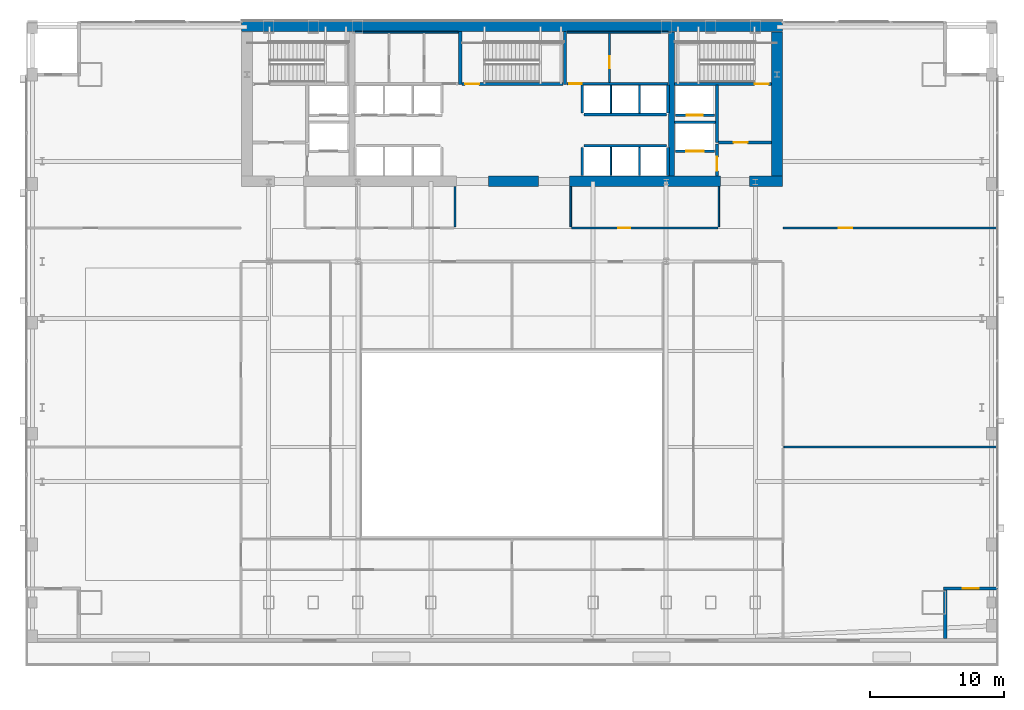
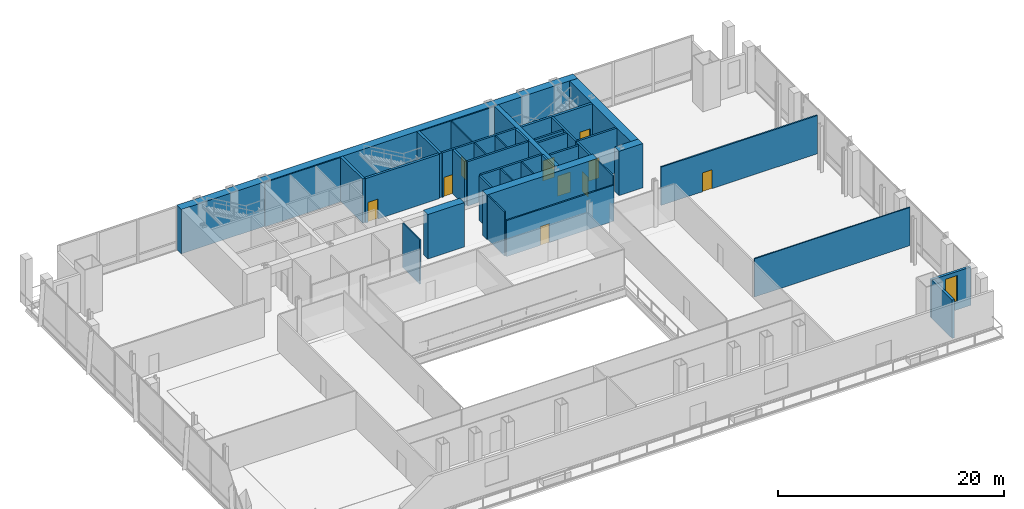
# One storey, part 21 of 25: 38 walls, 10 doors, 1 window, 11 openings.
"""IFC4 building model written with IfcOpenShell, lengths in metres."""

from ifc_helpers import new_model, si_unit, direction, frame, frame_2d, origin, place, context, subcontext, project, spatial, rectangle, extrude, material, layer, layer_set, type_object, element, fill, save


model = new_model("IFC4")

# Units and contexts
model_context = context("Model", 3, precision=1e-05, world=origin(), true_north=direction((0.0, 1.0)))
body_context = subcontext(model_context, "Body", "Model", "MODEL_VIEW")
ifc_project = project(units=[si_unit("LENGTHUNIT", "METRE"), si_unit("AREAUNIT", "SQUARE_METRE"), si_unit("VOLUMEUNIT", "CUBIC_METRE"), si_unit("PLANEANGLEUNIT", "RADIAN"), si_unit("MASSUNIT", "GRAM", prefix="KILO")], contexts=[model_context])

# Site, building, storey
site_placement = place(None, origin())
site = spatial("IfcSite", under=ifc_project, at=site_placement, CompositionType="ELEMENT")
building_placement = place(site_placement, origin())
building = spatial("IfcBuilding", under=site, at=building_placement, Name="Khoronbel Lancet Exchange", CompositionType="ELEMENT")
storey_placement = place(building_placement, frame((0.0, 0.0, 10.39990234375)))
storey = spatial("IfcBuildingStorey", under=building, at=storey_placement, Name="L02", CompositionType="ELEMENT", Elevation=10.39990234375)

# Walls
ifc_material_1 = material(Name="Concrete C80/95", Category="concrete")
ifc_layer_1 = layer(ifc_material_1, 0.800048828125, Name="Concrete C80/95")
ifc_layer_set_1 = layer_set([ifc_layer_1], Name="Concrete C80/95")
wall_type_1 = type_object("IfcWallType", Name="WL-CW1", PredefinedType="SHEAR", material=ifc_layer_set_1)
wall_1_placement = place(storey_placement, frame((16.199951171875, 53.300048828125, 0.0), z_axis=(0.0, 0.0, 1.0), x_axis=(1.0, 0.0, 0.0)))
element("IfcWall", 1, at=wall_1_placement, inside=storey, type_object=wall_type_1, Name="Level L02 rear core north shear wall", PredefinedType="SHEAR", context=body_context, shape_type="SweptSolid", body=[
    extrude(rectangle(XDim=40.5, YDim=0.800048828125, at=frame_2d((20.25, 0.0))), origin(), (0.0, 0.0, 1.0), 4.800048828125),
])
wall_2_placement = place(storey_placement, frame((56.300048828125, 52.89990234375, 0.0), z_axis=(0.0, 0.0, 1.0), x_axis=(0.0, -1.0, 0.0)))
element("IfcWall", 2, at=wall_2_placement, inside=storey, type_object=wall_type_1, Name="Level L02 rear core east shear wall", PredefinedType="SHEAR", context=body_context, shape_type="SweptSolid", body=[
    extrude(rectangle(XDim=10.7998046875, YDim=0.800048828125, at=frame_2d((5.39990234375, 0.0))), origin(), (0.0, 0.0, 1.0), 4.800048828125),
])
wall_3_placement = place(storey_placement, frame((38.449951171875, 41.699951171875, 0.0), z_axis=(0.0, 0.0, 1.0), x_axis=(-1.0, 0.0, 0.0)))
element("IfcWall", 3, at=wall_3_placement, inside=storey, type_object=wall_type_1, Name="Level L02 rear core south shear wall pier P3", PredefinedType="SHEAR", context=body_context, shape_type="SweptSolid", body=[
    extrude(rectangle(XDim=3.75, YDim=0.800048828125, at=frame_2d((1.875, 0.0))), origin(), (0.0, 0.0, 1.0), 4.800048828125),
])
wall_4_placement = place(storey_placement, frame((52.050048828125, 41.699951171875, 0.0), z_axis=(0.0, 0.0, 1.0), x_axis=(-1.0, 0.0, 0.0)))
element("IfcWall", 4, at=wall_4_placement, inside=storey, type_object=wall_type_1, Name="Level L02 rear core south shear wall pier P4", PredefinedType="SHEAR", context=body_context, shape_type="SweptSolid", body=[
    extrude(rectangle(XDim=11.300048828125, YDim=0.800048828125, at=frame_2d((5.64990234375, 0.0))), origin(), (0.0, 0.0, 1.0), 4.800048828125),
])
wall_5_placement = place(storey_placement, frame((56.699951171875, 41.699951171875, 0.0), z_axis=(0.0, 0.0, 1.0), x_axis=(-1.0, 0.0, 0.0)))
element("IfcWall", 5, at=wall_5_placement, inside=storey, type_object=wall_type_1, Name="Level L02 rear core south shear wall pier P5", PredefinedType="SHEAR", context=body_context, shape_type="SweptSolid", body=[
    extrude(rectangle(XDim=2.449951171875, YDim=0.800048828125, at=frame_2d((1.22509765625, 0.0))), origin(), (0.0, 0.0, 1.0), 4.800048828125),
])

# Wall, opening, window
ifc_material_2 = material(Name="Precast concrete C40/50", Category="concrete")
ifc_layer_2 = layer(ifc_material_2, 0.25, Name="Precast concrete C40/50")
ifc_layer_set_2 = layer_set([ifc_layer_2], Name="Precast concrete C40/50")
wall_type_2 = type_object("IfcWallType", Name="WL-EXT250", PredefinedType="SOLIDWALL", material=ifc_layer_set_2)
wall_6_placement = place(storey_placement, frame((72.820068359375, 11.199951171875, 0.0), z_axis=(0.0, 0.0, 1.0), x_axis=(-1.0, 0.0, 0.0)))
wall_6 = element("IfcWall", 6, at=wall_6_placement, inside=storey, type_object=wall_type_2, Name="Level L02 corner notch exterior wall SEL2", PredefinedType="SOLIDWALL", context=body_context, shape_type="SweptSolid", body=[
    extrude(rectangle(XDim=4.045166015625, YDim=0.25, at=frame_2d((2.0224609375, 0.0))), origin(), (0.0, 0.0, 1.0), 4.14013671875),
])
opening_1_placement = place(wall_6_placement, frame((1.422607421875, 0.0, 0.89990234375)))
opening_1 = element("IfcOpeningElement", 7, at=opening_1_placement, cuts=wall_6, Name="Opening W2", PredefinedType="OPENING", context=body_context, shape_type="SweptSolid", body=[
    extrude(rectangle(XDim=1.199951171875, YDim=2.800048828125, at=frame_2d((0.60009765625, 1.39990234375))), frame((0.0, 0.135009765625, 0.0), z_axis=(0.0, -1.0, 0.0), x_axis=(1.0, 0.0, 0.0)), (0.0, 0.0, 1.0), 0.27001953125),
])
ifc_material_3 = material(Name="Low-E Solar Control Insulating Glass", Category="glass")
window_type = type_object("IfcWindowType", Name="WIN-W2", PartitioningType="SINGLE_PANEL", PredefinedType="WINDOW", material=ifc_material_3)
window_placement = place(opening_1_placement, origin())
window = element("IfcWindow", 8, at=window_placement, inside=storey, type_object=window_type, Name="WIN-L02-SEL2", OverallHeight=2.800048828125, OverallWidth=1.199951171875, PartitioningType="SINGLE_PANEL", PredefinedType="WINDOW", context=body_context, shape_type="SweptSolid", body=[
    extrude(rectangle(XDim=1.199951171875, YDim=2.800048828125, at=frame_2d((0.60009765625, 1.39990234375))), frame((0.0, 0.030029296875, 0.0), z_axis=(0.0, -1.0, 0.0), x_axis=(1.0, 0.0, 0.0)), (0.0, 0.0, 1.0), 0.06005859375),
])
fill(opening_1, window)

# Walls
wall_7_placement = place(storey_placement, frame((68.89990234375, 11.074951171875, 0.0), z_axis=(0.0, 0.0, 1.0), x_axis=(0.0, -1.0, 0.0)))
element("IfcWall", 9, at=wall_7_placement, inside=storey, type_object=wall_type_2, Name="Level L02 corner notch exterior wall SEV2", PredefinedType="SOLIDWALL", context=body_context, shape_type="SweptSolid", body=[
    extrude(rectangle(XDim=3.625, YDim=0.25, at=frame_2d((1.8125, 0.0))), origin(), (0.0, 0.0, 1.0), 4.14013671875),
])
ifc_material_4 = material(Name="Acoustic Metal-Stud & Mineral-Wool Gypsum Partition 120 mm", Category="gypsum")
ifc_layer_3 = layer(ifc_material_4, 0.1201171875, Name="Acoustic Metal-Stud & Mineral-Wool Gypsum Partition 120 mm")
ifc_layer_set_3 = layer_set([ifc_layer_3], Name="Acoustic Metal-Stud & Mineral-Wool Gypsum Partition 120 mm")
wall_type_3 = type_object("IfcWallType", Name="WL-PRT120", PredefinedType="PARTITIONING", material=ifc_layer_set_3)
wall_8_placement = place(storey_placement, frame((56.820068359375, 21.800048828125, 0.0), z_axis=(0.0, 0.0, 1.0), x_axis=(1.0, 0.0, 0.0)))
element("IfcWall", 10, at=wall_8_placement, inside=storey, type_object=wall_type_3, Name="Level L02 interior partition PW-PD-EH", PredefinedType="PARTITIONING", context=body_context, shape_type="SweptSolid", body=[
    extrude(rectangle(XDim=15.89990234375, YDim=0.1201171875, at=frame_2d((7.949951171875, 0.0))), origin(), (0.0, 0.0, 1.0), 4.14013671875),
])
for number, where, z_axis, x_axis, name in (
    (11, (32.179931640625, 38.280029296875, 0.0), (0.0, 0.0, 1.0), (0.0, 1.0, 0.0), "Level L02 interior partition PW-PD-WC3"),
    (12, (40.85009765625, 38.280029296875, 0.0), (0.0, 0.0, 1.0), (0.0, 1.0, 0.0), "Level L02 interior partition PW-PD-NP0"),
    (13, (51.949951171875, 38.280029296875, 0.0), (0.0, 0.0, 1.0), (0.0, 1.0, 0.0), "Level L02 interior partition PW-PD-NP1"),
):
    element("IfcWall", number, at=place(storey_placement, frame(where, z_axis=z_axis, x_axis=x_axis)), inside=storey, type_object=wall_type_3, Name=name, PredefinedType="PARTITIONING", context=body_context, shape_type="SweptSolid", body=[
        extrude(rectangle(XDim=3.02001953125, YDim=0.1201171875, at=frame_2d((1.510009765625, 0.0))), origin(), (0.0, 0.0, 1.0), 4.800048828125),
    ])
ifc_material_5 = material(Name="Fire-Rated Metal-Stud & Mineral-Wool Gypsum Partition 120 mm", Category="gypsum")
ifc_layer_4 = layer(ifc_material_5, 0.1201171875, Name="Fire-Rated Metal-Stud & Mineral-Wool Gypsum Partition 120 mm")
ifc_layer_set_4 = layer_set([ifc_layer_4], Name="Fire-Rated Metal-Stud & Mineral-Wool Gypsum Partition 120 mm")
wall_type_4 = type_object("IfcWallType", Name="WL-PRT120F", PredefinedType="PARTITIONING", material=ifc_layer_set_4)
for number, where, z_axis, x_axis, name in (
    (14, (43.860107421875, 46.804931640625, 0.0), (0.0, 0.0, 1.0), (0.0, 1.0, 0.0), "Level L02 interior partition CW-PH-D1"),
    (15, (46.0, 46.804931640625, 0.0), (0.0, 0.0, 1.0), (0.0, 1.0, 0.0), "Level L02 interior partition CW-PH-D2"),
):
    element("IfcWall", number, at=place(storey_placement, frame(where, z_axis=z_axis, x_axis=x_axis)), inside=storey, type_object=wall_type_4, Name=name, PredefinedType="PARTITIONING", context=body_context, shape_type="SweptSolid", body=[
        extrude(rectangle(XDim=2.090087890625, YDim=0.1201171875, at=frame_2d((1.044921875, 0.0))), origin(), (0.0, 0.0, 1.0), 4.800048828125),
    ])
for number, where, z_axis, x_axis, name in (
    (16, (43.860107421875, 42.14990234375, 0.0), (0.0, 0.0, 1.0), (0.0, 1.0, 0.0), "Level L02 interior partition CW-PX-D1"),
    (17, (46.0, 42.14990234375, 0.0), (0.0, 0.0, 1.0), (0.0, 1.0, 0.0), "Level L02 interior partition CW-PX-D2"),
):
    element("IfcWall", number, at=place(storey_placement, frame(where, z_axis=z_axis, x_axis=x_axis)), inside=storey, type_object=wall_type_4, Name=name, PredefinedType="PARTITIONING", context=body_context, shape_type="SweptSolid", body=[
        extrude(rectangle(XDim=2.09521484375, YDim=0.1201171875, at=frame_2d((1.047607421875, 0.0))), origin(), (0.0, 0.0, 1.0), 4.800048828125),
    ])
wall_9_placement = place(storey_placement, frame((24.699951171875, 52.860107421875, 0.0), z_axis=(0.0, 0.0, 1.0), x_axis=(1.0, 0.0, 0.0)))
element("IfcWall", 18, at=wall_9_placement, inside=storey, type_object=wall_type_4, Name="Level L02 interior partition CW-SUP-NW-N", PredefinedType="PARTITIONING", context=body_context, shape_type="SweptSolid", body=[
    extrude(rectangle(XDim=7.719970703125, YDim=0.1201171875, at=frame_2d((3.85986328125, 0.0))), origin(), (0.0, 0.0, 1.0), 4.800048828125),
])
wall_10_placement = place(storey_placement, frame((40.580078125, 52.860107421875, 0.0), z_axis=(0.0, 0.0, 1.0), x_axis=(1.0, 0.0, 0.0)))
element("IfcWall", 19, at=wall_10_placement, inside=storey, type_object=wall_type_4, Name="Level L02 interior partition CW-SUP-NE-N", PredefinedType="PARTITIONING", context=body_context, shape_type="SweptSolid", body=[
    extrude(rectangle(XDim=7.559814453125, YDim=0.1201171875, at=frame_2d((3.77978515625, 0.0))), origin(), (0.0, 0.0, 1.0), 4.800048828125),
])

# Wall, opening, door
wall_11_placement = place(storey_placement, frame((43.755126953125, 49.10498046875, 0.0), z_axis=(0.0, 0.0, 1.0), x_axis=(0.0, 1.0, 0.0)))
wall_11 = element("IfcWall", 20, at=wall_11_placement, inside=storey, type_object=wall_type_4, Name="Level L02 interior partition CW-SUP-NE-M", PredefinedType="PARTITIONING", context=body_context, shape_type="SweptSolid", body=[
    extrude(rectangle(XDim=3.68994140625, YDim=0.1201171875, at=frame_2d((1.844970703125, 0.0))), origin(), (0.0, 0.0, 1.0), 4.800048828125),
])
opening_2_placement = place(wall_11_placement, frame((1.050048828125, 0.0, 0.0)))
opening_2 = element("IfcOpeningElement", 21, at=opening_2_placement, cuts=wall_11, Name="Opening FD4", PredefinedType="OPENING", context=body_context, shape_type="SweptSolid", body=[
    extrude(rectangle(XDim=0.89990234375, YDim=2.050048828125, at=frame_2d((0.449951171875, 1.02490234375))), frame((0.0, 0.070068359375, 0.0), z_axis=(0.0, -1.0, 0.0), x_axis=(1.0, 0.0, 0.0)), (0.0, 0.0, 1.0), 0.14013671875),
])
ifc_material_6 = material(Name="Fire-Rated Steel Core Support Door Assembly", Category="steel")
door_type_1 = type_object("IfcDoorType", Name="DR-FD4", OperationType="NOTDEFINED", PredefinedType="DOOR", material=ifc_material_6)
door_1_placement = place(opening_2_placement, origin())
door_1 = element("IfcDoor", 22, at=door_1_placement, inside=storey, type_object=door_type_1, Name="Core NE inner support door L02-1", OperationType="SINGLE_SWING_LEFT", OverallHeight=2.050048828125, OverallWidth=0.89990234375, PredefinedType="DOOR", context=body_context, shape_type="SweptSolid", body=[
    extrude(rectangle(XDim=0.89990234375, YDim=2.050048828125, at=frame_2d((0.449951171875, 1.02490234375))), frame((0.0, 0.02490234375, 0.0), z_axis=(0.0, -1.0, 0.0), x_axis=(1.0, 0.0, 0.0)), (0.0, 0.0, 1.0), 0.050048828125),
])
fill(opening_2, door_1)

ifc_material_7 = material(Name="Fire-Rated Twin-Stud Acoustic Gypsum Partition 150 mm", Category="gypsum")
ifc_layer_5 = layer(ifc_material_7, 0.14990234375, Name="Fire-Rated Twin-Stud Acoustic Gypsum Partition 150 mm")
ifc_layer_set_5 = layer_set([ifc_layer_5], Name="Fire-Rated Twin-Stud Acoustic Gypsum Partition 150 mm")
wall_type_5 = type_object("IfcWallType", Name="WL-PRT150C", PredefinedType="PARTITIONING", material=ifc_layer_set_5)
wall_12_placement = place(storey_placement, frame((56.739990234375, 38.199951171875, 0.0), z_axis=(0.0, 0.0, 1.0), x_axis=(1.0, 0.0, 0.0)))
wall_12 = element("IfcWall", 23, at=wall_12_placement, inside=storey, type_object=wall_type_5, Name="Level L02 interior partition PW-PD-NE", PredefinedType="PARTITIONING", context=body_context, shape_type="SweptSolid", body=[
    extrude(rectangle(XDim=15.97998046875, YDim=0.14990234375, at=frame_2d((7.989990234375, 0.0))), origin(), (0.0, 0.0, 1.0), 4.14013671875),
])
opening_3_placement = place(wall_12_placement, frame((4.199951171875, 0.0, 0.0)))
opening_3 = element("IfcOpeningElement", 24, at=opening_3_placement, cuts=wall_12, Name="Opening D2", PredefinedType="OPENING", context=body_context, shape_type="SweptSolid", body=[
    extrude(rectangle(XDim=1.0, YDim=2.050048828125, at=frame_2d((0.5, 1.02490234375))), frame((0.0, 0.0849609375, 0.0), z_axis=(0.0, -1.0, 0.0), x_axis=(1.0, 0.0, 0.0)), (0.0, 0.0, 1.0), 0.169921875),
])
ifc_material_8 = material(Name="Acoustic Veneered Timber & Bronze Frame Door", Category="wood")
door_type_2 = type_object("IfcDoorType", Name="DR-D2", OperationType="NOTDEFINED", PredefinedType="DOOR", material=ifc_material_8)
door_2_placement = place(opening_3_placement, origin())
door_2 = element("IfcDoor", 25, at=door_2_placement, inside=storey, type_object=door_type_2, Name="NE podium catering kitchen door L02-1", OperationType="SINGLE_SWING_RIGHT", OverallHeight=2.050048828125, OverallWidth=1.0, PredefinedType="DOOR", context=body_context, shape_type="SweptSolid", body=[
    extrude(rectangle(XDim=1.0, YDim=2.050048828125, at=frame_2d((0.5, 1.02490234375))), frame((0.0, 0.02490234375, 0.0), z_axis=(0.0, -1.0, 0.0), x_axis=(1.0, 0.0, 0.0)), (0.0, 0.0, 1.0), 0.050048828125),
])
fill(opening_3, door_2)

wall_13_placement = place(storey_placement, frame((40.9150390625, 38.199951171875, 0.0), z_axis=(0.0, 0.0, 1.0), x_axis=(1.0, 0.0, 0.0)))
wall_13 = element("IfcWall", 26, at=wall_13_placement, inside=storey, type_object=wall_type_5, Name="Level L02 interior partition PW-PD-NP", PredefinedType="PARTITIONING", context=body_context, shape_type="SweptSolid", body=[
    extrude(rectangle(XDim=10.969970703125, YDim=0.14990234375, at=frame_2d((5.48486328125, 0.0))), origin(), (0.0, 0.0, 1.0), 3.89013671875),
])
opening_4_placement = place(wall_13_placement, frame((3.5, 0.0, 0.0)))
opening_4 = element("IfcOpeningElement", 27, at=opening_4_placement, cuts=wall_13, Name="Opening D5", PredefinedType="OPENING", context=body_context, shape_type="SweptSolid", body=[
    extrude(rectangle(XDim=0.89990234375, YDim=2.050048828125, at=frame_2d((0.449951171875, 1.02490234375))), frame((0.0, 0.0849609375, 0.0), z_axis=(0.0, -1.0, 0.0), x_axis=(1.0, 0.0, 0.0)), (0.0, 0.0, 1.0), 0.169921875),
])
ifc_material_9 = material(Name="Acoustic Timber Pantry & Support Door", Category="wood")
door_type_3 = type_object("IfcDoorType", Name="DR-D5", OperationType="NOTDEFINED", PredefinedType="DOOR", material=ifc_material_9)
door_3_placement = place(opening_4_placement, origin())
door_3 = element("IfcDoor", 28, at=door_3_placement, inside=storey, type_object=door_type_3, Name="Podium servery pantry door L02-1", OperationType="SINGLE_SWING_LEFT", OverallHeight=2.050048828125, OverallWidth=0.89990234375, PredefinedType="DOOR", context=body_context, shape_type="SweptSolid", body=[
    extrude(rectangle(XDim=0.89990234375, YDim=2.050048828125, at=frame_2d((0.449951171875, 1.02490234375))), frame((0.0, 0.02490234375, 0.0), z_axis=(0.0, -1.0, 0.0), x_axis=(1.0, 0.0, 0.0)), (0.0, 0.0, 1.0), 0.050048828125),
])
fill(opening_4, door_3)

ifc_material_10 = material(Name="Autoclaved Aerated Concrete Blockwork 200 mm", Category="masonry")
ifc_layer_6 = layer(ifc_material_10, 0.199951171875, Name="Autoclaved Aerated Concrete Blockwork 200 mm")
ifc_layer_set_6 = layer_set([ifc_layer_6], Name="Autoclaved Aerated Concrete Blockwork 200 mm")
wall_type_6 = type_object("IfcWallType", Name="WL-PRT200", PredefinedType="PARTITIONING", material=ifc_layer_set_6)
wall_14_placement = place(storey_placement, frame((51.610107421875, 43.949951171875, 0.0), z_axis=(0.0, 0.0, 1.0), x_axis=(-1.0, 0.0, 0.0)))
wall_14 = element("IfcWall", 29, at=wall_14_placement, inside=storey, type_object=wall_type_6, Name="Level L02 elevator hoistway landing front wall SVLE", PredefinedType="PARTITIONING", context=body_context, shape_type="SweptSolid", body=[
    extrude(rectangle(XDim=2.920166015625, YDim=0.199951171875, at=frame_2d((1.4599609375, 0.0))), origin(), (0.0, 0.0, 1.0), 4.800048828125),
])
opening_5_placement = place(wall_14_placement, frame((0.81005859375, 0.0, 0.0)))
opening_5 = element("IfcOpeningElement", 30, at=opening_5_placement, cuts=wall_14, Name="Opening LD-SVL2", PredefinedType="OPENING", context=body_context, shape_type="SweptSolid", body=[
    extrude(rectangle(XDim=1.300048828125, YDim=2.179931640625, at=frame_2d((0.64990234375, 1.08984375))), frame((0.0, 0.10986328125, 0.0), z_axis=(0.0, -1.0, 0.0), x_axis=(1.0, 0.0, 0.0)), (0.0, 0.0, 1.0), 0.219970703125),
])
ifc_material_11 = material(Name="Heavy-Duty Bi-Parting Goods Lift Landing Door", Category="steel")
door_type_4 = type_object("IfcDoorType", Name="DR-LD-SVL", OperationType="NOTDEFINED", PredefinedType="DOOR", material=ifc_material_11)
door_4_placement = place(opening_5_placement, origin())
door_4 = element("IfcDoor", 31, at=door_4_placement, inside=storey, type_object=door_type_4, Name="Elevator landing sliding door LD-SVL2 L02", OperationType="SLIDING_TO_LEFT", OverallHeight=2.179931640625, OverallWidth=1.300048828125, PredefinedType="DOOR", context=body_context, shape_type="SweptSolid", body=[
    extrude(rectangle(XDim=1.300048828125, YDim=2.179931640625, at=frame_2d((0.64990234375, 1.08984375))), frame((0.0, 0.02490234375, 0.0), z_axis=(0.0, -1.0, 0.0), x_axis=(1.0, 0.0, 0.0)), (0.0, 0.0, 1.0), 0.050048828125),
])
fill(opening_5, door_4)

wall_15_placement = place(storey_placement, frame((51.610107421875, 46.64990234375, 0.0), z_axis=(0.0, 0.0, 1.0), x_axis=(-1.0, 0.0, 0.0)))
wall_15 = element("IfcWall", 32, at=wall_15_placement, inside=storey, type_object=wall_type_6, Name="Level L02 elevator hoistway landing front wall FFLE", PredefinedType="PARTITIONING", context=body_context, shape_type="SweptSolid", body=[
    extrude(rectangle(XDim=2.920166015625, YDim=0.199951171875, at=frame_2d((1.4599609375, 0.0))), origin(), (0.0, 0.0, 1.0), 4.800048828125),
])
opening_6_placement = place(wall_15_placement, frame((0.860107421875, 0.0, 0.0)))
opening_6 = element("IfcOpeningElement", 33, at=opening_6_placement, cuts=wall_15, Name="Opening LD-FFL2", PredefinedType="OPENING", context=body_context, shape_type="SweptSolid", body=[
    extrude(rectangle(XDim=1.199951171875, YDim=2.179931640625, at=frame_2d((0.60009765625, 1.08984375))), frame((0.0, 0.10986328125, 0.0), z_axis=(0.0, -1.0, 0.0), x_axis=(1.0, 0.0, 0.0)), (0.0, 0.0, 1.0), 0.219970703125),
])
ifc_material_12 = material(Name="Fire-Rated Stainless Bi-Parting Firefighting Lift Door", Category="steel")
door_type_5 = type_object("IfcDoorType", Name="DR-LD-FFL", OperationType="NOTDEFINED", PredefinedType="DOOR", material=ifc_material_12)
door_5_placement = place(opening_6_placement, origin())
door_5 = element("IfcDoor", 34, at=door_5_placement, inside=storey, type_object=door_type_5, Name="Elevator landing sliding door LD-FFL2 L02", OperationType="SLIDING_TO_LEFT", OverallHeight=2.179931640625, OverallWidth=1.199951171875, PredefinedType="DOOR", context=body_context, shape_type="SweptSolid", body=[
    extrude(rectangle(XDim=1.199951171875, YDim=2.179931640625, at=frame_2d((0.60009765625, 1.08984375))), frame((0.0, 0.02490234375, 0.0), z_axis=(0.0, -1.0, 0.0), x_axis=(1.0, 0.0, 0.0)), (0.0, 0.0, 1.0), 0.050048828125),
])
fill(opening_6, door_5)

# Wall
wall_16_placement = place(storey_placement, frame((51.800048828125, 44.60009765625, 0.0), z_axis=(0.0, 0.0, 1.0), x_axis=(0.0, 1.0, 0.0)))
element("IfcWall", 35, at=wall_16_placement, inside=storey, type_object=wall_type_6, Name="Level L02 interior partition CW-FFLE-W", PredefinedType="PARTITIONING", context=body_context, shape_type="SweptSolid", body=[
    extrude(rectangle(XDim=4.2998046875, YDim=0.199951171875, at=frame_2d((2.14990234375, 0.0))), origin(), (0.0, 0.0, 1.0), 4.800048828125),
])

# Wall, opening, door
wall_17_placement = place(storey_placement, frame((51.89990234375, 44.60009765625, 0.0), z_axis=(0.0, 0.0, 1.0), x_axis=(1.0, 0.0, 0.0)))
wall_17 = element("IfcWall", 36, at=wall_17_placement, inside=storey, type_object=wall_type_6, Name="Level L02 interior partition CW-FFLE-S", PredefinedType="PARTITIONING", context=body_context, shape_type="SweptSolid", body=[
    extrude(rectangle(XDim=4.0, YDim=0.199951171875, at=frame_2d((2.0, 0.0))), origin(), (0.0, 0.0, 1.0), 4.800048828125),
])
opening_7_placement = place(wall_17_placement, frame((1.14990234375, 0.0, 0.0)))
opening_7 = element("IfcOpeningElement", 37, at=opening_7_placement, cuts=wall_17, Name="Opening FD1", PredefinedType="OPENING", context=body_context, shape_type="SweptSolid", body=[
    extrude(rectangle(XDim=1.050048828125, YDim=2.14990234375, at=frame_2d((0.52490234375, 1.074951171875))), frame((0.0, 0.10986328125, 0.0), z_axis=(0.0, -1.0, 0.0), x_axis=(1.0, 0.0, 0.0)), (0.0, 0.0, 1.0), 0.219970703125),
])
ifc_material_13 = material(Name="Fire-Rated Painted Steel Door Assembly", Category="steel")
door_type_6 = type_object("IfcDoorType", Name="DR-FD1", OperationType="NOTDEFINED", PredefinedType="DOOR", material=ifc_material_13)
door_6_placement = place(opening_7_placement, origin())
door_6 = element("IfcDoor", 38, at=door_6_placement, inside=storey, type_object=door_type_6, Name="East firefighting lobby FD90S door L02-1", OperationType="SINGLE_SWING_LEFT", OverallHeight=2.14990234375, OverallWidth=1.050048828125, PredefinedType="DOOR", context=body_context, shape_type="SweptSolid", body=[
    extrude(rectangle(XDim=1.050048828125, YDim=2.14990234375, at=frame_2d((0.52490234375, 1.074951171875))), frame((0.0, 0.02490234375, 0.0), z_axis=(0.0, -1.0, 0.0), x_axis=(1.0, 0.0, 0.0)), (0.0, 0.0, 1.0), 0.050048828125),
])
fill(opening_7, door_6)

# Wall
wall_18_placement = place(storey_placement, frame((48.6298828125, 46.1201171875, 0.0), z_axis=(0.0, 0.0, 1.0), x_axis=(1.0, 0.0, 0.0)))
element("IfcWall", 39, at=wall_18_placement, inside=storey, type_object=wall_type_6, Name="Level L02 interior partition CW-FFL2-S", PredefinedType="PARTITIONING", context=body_context, shape_type="SweptSolid", body=[
    extrude(rectangle(XDim=3.070068359375, YDim=0.199951171875, at=frame_2d((1.53515625, 0.0))), origin(), (0.0, 0.0, 1.0), 4.800048828125),
])

# Wall, opening, door
wall_19_placement = place(storey_placement, frame((51.800048828125, 42.10009765625, 0.0), z_axis=(0.0, 0.0, 1.0), x_axis=(0.0, 1.0, 0.0)))
wall_19 = element("IfcWall", 40, at=wall_19_placement, inside=storey, type_object=wall_type_6, Name="Level L02 interior partition CW-SVLE-E", PredefinedType="PARTITIONING", context=body_context, shape_type="SweptSolid", body=[
    extrude(rectangle(XDim=2.39501953125, YDim=0.199951171875, at=frame_2d((1.197509765625, 0.0))), origin(), (0.0, 0.0, 1.0), 4.800048828125),
])
opening_8_placement = place(wall_19_placement, frame((0.3798828125, 0.0, 0.0)))
opening_8 = element("IfcOpeningElement", 41, at=opening_8_placement, cuts=wall_19, Name="Opening FD1", PredefinedType="OPENING", context=body_context, shape_type="SweptSolid", body=[
    extrude(rectangle(XDim=1.050048828125, YDim=2.14990234375, at=frame_2d((0.52490234375, 1.074951171875))), frame((0.0, 0.10986328125, 0.0), z_axis=(0.0, -1.0, 0.0), x_axis=(1.0, 0.0, 0.0)), (0.0, 0.0, 1.0), 0.219970703125),
])
door_7_placement = place(opening_8_placement, origin())
door_7 = element("IfcDoor", 42, at=door_7_placement, inside=storey, type_object=door_type_6, Name="East service lift lobby door L02-1", OperationType="SINGLE_SWING_RIGHT", OverallHeight=2.14990234375, OverallWidth=1.050048828125, PredefinedType="DOOR", context=body_context, shape_type="SweptSolid", body=[
    extrude(rectangle(XDim=1.050048828125, YDim=2.14990234375, at=frame_2d((0.52490234375, 1.074951171875))), frame((0.0, 0.02490234375, 0.0), z_axis=(0.0, -1.0, 0.0), x_axis=(1.0, 0.0, 0.0)), (0.0, 0.0, 1.0), 0.050048828125),
])
fill(opening_8, door_7)

# Walls
wall_20_placement = place(storey_placement, frame((41.824951171875, 46.699951171875, 0.0), z_axis=(0.0, 0.0, 1.0), x_axis=(1.0, 0.0, 0.0)))
element("IfcWall", 43, at=wall_20_placement, inside=storey, type_object=wall_type_6, Name="Level L02 interior partition CW-PH-EXP", PredefinedType="PARTITIONING", context=body_context, shape_type="SweptSolid", body=[
    extrude(rectangle(XDim=6.2099609375, YDim=0.199951171875, at=frame_2d((3.10498046875, 0.0))), origin(), (0.0, 0.0, 1.0), 4.800048828125),
])
for number, where, z_axis, x_axis, name in (
    (44, (41.719970703125, 46.804931640625, 0.0), (0.0, 0.0, 1.0), (0.0, 1.0, 0.0), "Level L02 interior partition CW-PH-W"),
    (45, (48.139892578125, 46.804931640625, 0.0), (0.0, 0.0, 1.0), (0.0, 1.0, 0.0), "Level L02 interior partition CW-PH-E"),
):
    element("IfcWall", number, at=place(storey_placement, frame(where, z_axis=z_axis, x_axis=x_axis)), inside=storey, type_object=wall_type_6, Name=name, PredefinedType="PARTITIONING", context=body_context, shape_type="SweptSolid", body=[
        extrude(rectangle(XDim=2.090087890625, YDim=0.199951171875, at=frame_2d((1.044921875, 0.0))), origin(), (0.0, 0.0, 1.0), 4.800048828125),
    ])
wall_21_placement = place(storey_placement, frame((41.824951171875, 44.35009765625, 0.0), z_axis=(0.0, 0.0, 1.0), x_axis=(1.0, 0.0, 0.0)))
element("IfcWall", 46, at=wall_21_placement, inside=storey, type_object=wall_type_6, Name="Level L02 interior partition CW-PX-EXP", PredefinedType="PARTITIONING", context=body_context, shape_type="SweptSolid", body=[
    extrude(rectangle(XDim=6.2099609375, YDim=0.199951171875, at=frame_2d((3.10498046875, 0.0))), origin(), (0.0, 0.0, 1.0), 4.800048828125),
])
for number, where, z_axis, x_axis, name in (
    (47, (41.719970703125, 42.14990234375, 0.0), (0.0, 0.0, 1.0), (0.0, 1.0, 0.0), "Level L02 interior partition CW-PX-W"),
    (48, (48.139892578125, 42.14990234375, 0.0), (0.0, 0.0, 1.0), (0.0, 1.0, 0.0), "Level L02 interior partition CW-PX-E"),
):
    element("IfcWall", number, at=place(storey_placement, frame(where, z_axis=z_axis, x_axis=x_axis)), inside=storey, type_object=wall_type_6, Name=name, PredefinedType="PARTITIONING", context=body_context, shape_type="SweptSolid", body=[
        extrude(rectangle(XDim=2.09521484375, YDim=0.199951171875, at=frame_2d((1.047607421875, 0.0))), origin(), (0.0, 0.0, 1.0), 4.800048828125),
    ])

# Wall, opening, door
wall_22_placement = place(storey_placement, frame((40.580078125, 49.0, 0.0), z_axis=(0.0, 0.0, 1.0), x_axis=(1.0, 0.0, 0.0)))
wall_22 = element("IfcWall", 49, at=wall_22_placement, inside=storey, type_object=wall_type_6, Name="Level L02 interior partition CW-SUP-NE-S", PredefinedType="PARTITIONING", context=body_context, shape_type="SweptSolid", body=[
    extrude(rectangle(XDim=7.559814453125, YDim=0.199951171875, at=frame_2d((3.77978515625, 0.0))), origin(), (0.0, 0.0, 1.0), 4.800048828125),
])
opening_9_placement = place(wall_22_placement, frame((0.159912109375, 0.0, 0.0)))
opening_9 = element("IfcOpeningElement", 50, at=opening_9_placement, cuts=wall_22, Name="Opening FD3", PredefinedType="OPENING", context=body_context, shape_type="SweptSolid", body=[
    extrude(rectangle(XDim=0.949951171875, YDim=2.10009765625, at=frame_2d((0.47509765625, 1.050048828125))), frame((0.0, 0.10986328125, 0.0), z_axis=(0.0, -1.0, 0.0), x_axis=(1.0, 0.0, 0.0)), (0.0, 0.0, 1.0), 0.219970703125),
])
ifc_material_14 = material(Name="Fire-Rated Steel Plant & Riser Door Assembly", Category="steel")
door_type_7 = type_object("IfcDoorType", Name="DR-FD3", OperationType="NOTDEFINED", PredefinedType="DOOR", material=ifc_material_14)
door_8_placement = place(opening_9_placement, origin())
door_8 = element("IfcDoor", 51, at=door_8_placement, inside=storey, type_object=door_type_7, Name="Core NE support room door L02-1", OperationType="SINGLE_SWING_RIGHT", OverallHeight=2.10009765625, OverallWidth=0.949951171875, PredefinedType="DOOR", context=body_context, shape_type="SweptSolid", body=[
    extrude(rectangle(XDim=0.949951171875, YDim=2.10009765625, at=frame_2d((0.47509765625, 1.050048828125))), frame((0.0, 0.02490234375, 0.0), z_axis=(0.0, -1.0, 0.0), x_axis=(1.0, 0.0, 0.0)), (0.0, 0.0, 1.0), 0.050048828125),
])
fill(opening_9, door_8)

# Walls
ifc_layer_7 = layer(ifc_material_1, 0.449951171875, Name="Concrete C80/95")
ifc_layer_set_7 = layer_set([ifc_layer_7], Name="Concrete C80/95")
wall_type_7 = type_object("IfcWallType", Name="WL-SW1", PredefinedType="SHEAR", material=ifc_layer_set_7)
wall_23_placement = place(storey_placement, frame((48.39990234375, 42.10009765625, 0.0), z_axis=(0.0, 0.0, 1.0), x_axis=(0.0, 1.0, 0.0)))
element("IfcWall", 52, at=wall_23_placement, inside=storey, type_object=wall_type_7, Name="Level L02 rear core internal spine shear wall IE", PredefinedType="SHEAR", context=body_context, shape_type="SweptSolid", body=[
    extrude(rectangle(XDim=10.7998046875, YDim=0.449951171875, at=frame_2d((5.39990234375, 0.0))), origin(), (0.0, 0.0, 1.0), 4.800048828125),
])
ifc_material_15 = material(Name="Concrete C60/75", Category="concrete")
ifc_layer_8 = layer(ifc_material_15, 0.260009765625, Name="Concrete C60/75")
ifc_layer_set_8 = layer_set([ifc_layer_8], Name="Concrete C60/75")
wall_type_8 = type_object("IfcWallType", Name="WL-SW3", PredefinedType="SHEAR", material=ifc_layer_set_8)
for number, where, z_axis, x_axis, name in (
    (53, (32.580078125, 48.949951171875, 0.0), (0.0, 0.0, 1.0), (0.0, 1.0, 0.0), "Level L02 central stairwell structural shear wall ST3W"),
    (54, (40.419921875, 48.949951171875, 0.0), (0.0, 0.0, 1.0), (0.0, 1.0, 0.0), "Level L02 central stairwell structural shear wall ST3E"),
):
    element("IfcWall", number, at=place(storey_placement, frame(where, z_axis=z_axis, x_axis=x_axis)), inside=storey, type_object=wall_type_8, Name=name, PredefinedType="SHEAR", context=body_context, shape_type="SweptSolid", body=[
        extrude(rectangle(XDim=3.949951171875, YDim=0.260009765625, at=frame_2d((1.97509765625, 0.0))), origin(), (0.0, 0.0, 1.0), 4.800048828125),
    ])

# Wall, opening, door
wall_24_placement = place(storey_placement, frame((48.6298828125, 48.97998046875, 0.0), z_axis=(0.0, 0.0, 1.0), x_axis=(1.0, 0.0, 0.0)))
wall_24 = element("IfcWall", 55, at=wall_24_placement, inside=storey, type_object=wall_type_8, Name="Level L02 east stairwell structural south wall", PredefinedType="SHEAR", context=body_context, shape_type="SweptSolid", body=[
    extrude(rectangle(XDim=7.27001953125, YDim=0.239990234375, at=frame_2d((3.635009765625, 0.0))), origin(), (0.0, 0.0, 1.0), 4.800048828125),
])
opening_10_placement = place(wall_24_placement, frame((6.0, 0.0, 0.0)))
opening_10 = element("IfcOpeningElement", 56, at=opening_10_placement, cuts=wall_24, Name="Opening SD1", PredefinedType="OPENING", context=body_context, shape_type="SweptSolid", body=[
    extrude(rectangle(XDim=1.050048828125, YDim=2.14990234375, at=frame_2d((0.52490234375, 1.074951171875))), frame((0.0, 0.1298828125, 0.0), z_axis=(0.0, -1.0, 0.0), x_axis=(1.0, 0.0, 0.0)), (0.0, 0.0, 1.0), 0.260009765625),
])
ifc_material_16 = material(Name="Fire-Rated Steel Stairwell Door Assembly", Category="steel")
door_type_8 = type_object("IfcDoorType", Name="DR-SD1", OperationType="NOTDEFINED", PredefinedType="DOOR", material=ifc_material_16)
door_9_placement = place(opening_10_placement, origin())
door_9 = element("IfcDoor", 57, at=door_9_placement, inside=storey, type_object=door_type_8, Name="Protected exit stair ST2 door L02", OperationType="SINGLE_SWING_RIGHT", OverallHeight=2.14990234375, OverallWidth=1.050048828125, PredefinedType="DOOR", context=body_context, shape_type="SweptSolid", body=[
    extrude(rectangle(XDim=1.050048828125, YDim=2.14990234375, at=frame_2d((0.52490234375, 1.074951171875))), frame((0.0, 0.02490234375, 0.0), z_axis=(0.0, -1.0, 0.0), x_axis=(1.0, 0.0, 0.0)), (0.0, 0.0, 1.0), 0.050048828125),
])
fill(opening_10, door_9)

wall_25_placement = place(storey_placement, frame((32.719970703125, 48.97998046875, 0.0), z_axis=(0.0, 0.0, 1.0), x_axis=(1.0, 0.0, 0.0)))
wall_25 = element("IfcWall", 58, at=wall_25_placement, inside=storey, type_object=wall_type_8, Name="Level L02 central stairwell structural south wall", PredefinedType="SHEAR", context=body_context, shape_type="SweptSolid", body=[
    extrude(rectangle(XDim=7.56005859375, YDim=0.239990234375, at=frame_2d((3.780029296875, 0.0))), origin(), (0.0, 0.0, 1.0), 4.800048828125),
])
opening_11_placement = place(wall_25_placement, frame((0.219970703125, 0.0, 0.0)))
opening_11 = element("IfcOpeningElement", 59, at=opening_11_placement, cuts=wall_25, Name="Opening SD1", PredefinedType="OPENING", context=body_context, shape_type="SweptSolid", body=[
    extrude(rectangle(XDim=1.050048828125, YDim=2.14990234375, at=frame_2d((0.52490234375, 1.074951171875))), frame((0.0, 0.1298828125, 0.0), z_axis=(0.0, -1.0, 0.0), x_axis=(1.0, 0.0, 0.0)), (0.0, 0.0, 1.0), 0.260009765625),
])
door_10_placement = place(opening_11_placement, origin())
door_10 = element("IfcDoor", 60, at=door_10_placement, inside=storey, type_object=door_type_8, Name="Protected exit stair ST3 door L02", OperationType="SINGLE_SWING_LEFT", OverallHeight=2.14990234375, OverallWidth=1.050048828125, PredefinedType="DOOR", context=body_context, shape_type="SweptSolid", body=[
    extrude(rectangle(XDim=1.050048828125, YDim=2.14990234375, at=frame_2d((0.52490234375, 1.074951171875))), frame((0.0, 0.02490234375, 0.0), z_axis=(0.0, -1.0, 0.0), x_axis=(1.0, 0.0, 0.0)), (0.0, 0.0, 1.0), 0.050048828125),
])
fill(opening_11, door_10)

save(model, "model.ifc")
